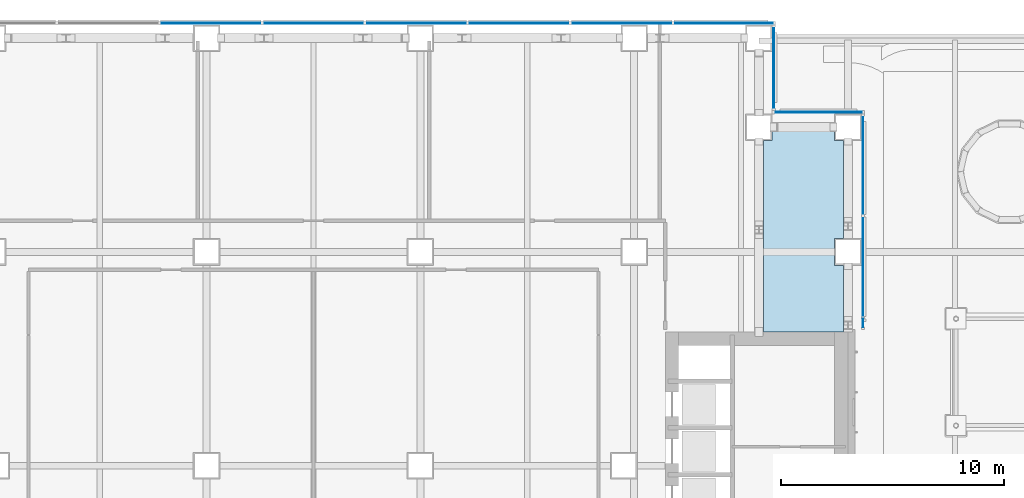
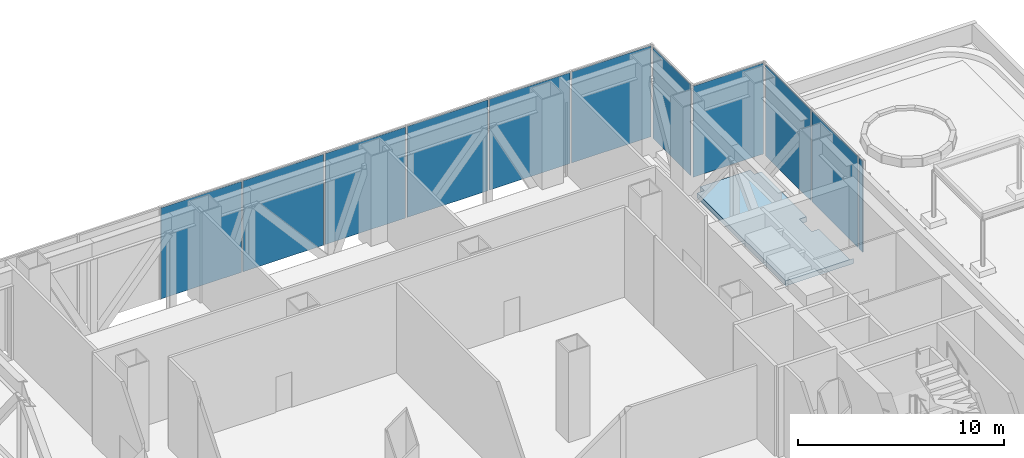
# One storey, part 22 of 39: 11 plates, 1 slab, 4 elements without a shape of their own.
"""IFC4 building model written with IfcOpenShell, lengths in metres."""

from ifc_helpers import new_model, si_unit, direction, frame, origin, origin_2d, place, context, subcontext, project, spatial, polyline, rectangle, outline, extrude, material, layer, layer_set, type_object, element, aggregate, save


model = new_model("IFC4")

# Units and contexts
model_context = context("Model", 3, precision=1e-05, world=origin(), true_north=direction((0.0, 1.0)))
body_context = subcontext(model_context, "Body", "Model", "MODEL_VIEW")
ifc_project = project(units=[si_unit("LENGTHUNIT", "METRE"), si_unit("AREAUNIT", "SQUARE_METRE"), si_unit("VOLUMEUNIT", "CUBIC_METRE"), si_unit("PLANEANGLEUNIT", "RADIAN"), si_unit("MASSUNIT", "GRAM", prefix="KILO")], contexts=[model_context])

# Site, building, storey
site_placement = place(None, origin())
site = spatial("IfcSite", under=ifc_project, at=site_placement, CompositionType="ELEMENT")
building_placement = place(site_placement, origin())
building = spatial("IfcBuilding", under=site, at=building_placement, Name="Cobrizo Arcos Hotel Tower", CompositionType="ELEMENT")
storey_placement = place(building_placement, frame((0.0, 0.0, 33.5)))
storey = spatial("IfcBuildingStorey", under=building, at=storey_placement, Name="L06", CompositionType="ELEMENT", Elevation=33.5)

# Curtain wall, plates
ifc_material_1 = material(Name="Aluminium 6063-T6 anodised bronze", Category="aluminium")
curtain_wall_type = type_object("IfcCurtainWallType", Name="CW-D plant louvre wall", PredefinedType="NOTDEFINED", material=ifc_material_1)
curtain_wall_1_placement = place(storey_placement, origin())
curtain_wall_1 = element("IfcCurtainWall", 1, at=curtain_wall_1_placement, inside=storey, type_object=curtain_wall_type, Name="CW-D L06 E face", PredefinedType="NOTDEFINED")
ifc_material_2 = material(Name="Aluminium composite panel pale metal", Category="aluminium")
ifc_layer_1 = layer(ifc_material_2, 0.06005859375)
ifc_layer_set_1 = layer_set([ifc_layer_1], Name="CW-D spandrel panel")
plate_type = type_object("IfcPlateType", Name="CW-D spandrel panel", PredefinedType="CURTAIN_PANEL", material=ifc_layer_set_1)
plate_1_placement = place(storey_placement, frame((24.675048828125, 11.20947265625, 0.0), z_axis=(0.0, 0.0, 1.0), x_axis=(0.0, 1.0, 0.0)))
plate_1 = element("IfcPlate", 2, at=plate_1_placement, type_object=plate_type, Name="CW-D insulated panel 337", PredefinedType="CURTAIN_PANEL", context=body_context, shape_type="SweptSolid", body=[
    extrude(rectangle(XDim=0.3701171875, YDim=0.0400390625, at=origin_2d()), origin(), (0.0, 0.0, 1.0), 5.39990234375),
])
plate_2_placement = place(storey_placement, frame((24.675048828125, 13.7333984375, 0.0), z_axis=(0.0, 0.0, 1.0), x_axis=(0.0, 1.0, 0.0)))
plate_2 = element("IfcPlate", 3, at=plate_2_placement, type_object=plate_type, Name="CW-D insulated panel 338", PredefinedType="CURTAIN_PANEL", context=body_context, shape_type="SweptSolid", body=[
    extrude(rectangle(XDim=4.477783203125, YDim=0.0400390625, at=origin_2d()), origin(), (0.0, 0.0, 1.0), 5.39990234375),
])
plate_3_placement = place(storey_placement, frame((24.675048828125, 18.2861328125, 0.0), z_axis=(0.0, 0.0, 1.0), x_axis=(0.0, 1.0, 0.0)))
plate_3 = element("IfcPlate", 4, at=plate_3_placement, type_object=plate_type, Name="CW-D insulated panel 339", PredefinedType="CURTAIN_PANEL", context=body_context, shape_type="SweptSolid", body=[
    extrude(rectangle(XDim=4.427734375, YDim=0.0400390625, at=origin_2d()), origin(), (0.0, 0.0, 1.0), 5.39990234375),
])
aggregate(curtain_wall_1, [plate_1, plate_2, plate_3])

# Curtain wall, plate
curtain_wall_2_placement = place(storey_placement, origin())
curtain_wall_2 = element("IfcCurtainWall", 5, at=curtain_wall_2_placement, inside=storey, type_object=curtain_wall_type, Name="CW-D L06 N face", PredefinedType="NOTDEFINED")
plate_4_placement = place(storey_placement, frame((22.675048828125, 20.675048828125, 0.0), z_axis=(0.0, 0.0, 1.0), x_axis=(-1.0, 0.0, 0.0)))
plate_4 = element("IfcPlate", 6, at=plate_4_placement, type_object=plate_type, Name="CW-D insulated panel 340", PredefinedType="CURTAIN_PANEL", context=body_context, shape_type="SweptSolid", body=[
    extrude(rectangle(XDim=3.949951171875, YDim=0.0400390625, at=origin_2d()), origin(), (0.0, 0.0, 1.0), 5.39990234375),
])
aggregate(curtain_wall_2, [plate_4])

curtain_wall_3_placement = place(storey_placement, origin())
curtain_wall_3 = element("IfcCurtainWall", 7, at=curtain_wall_3_placement, inside=storey, type_object=curtain_wall_type, Name="CW-D L06 E face", PredefinedType="NOTDEFINED")
plate_5_placement = place(storey_placement, frame((20.675048828125, 22.675048828125, 0.0), z_axis=(0.0, 0.0, 1.0), x_axis=(0.0, 1.0, 0.0)))
plate_5 = element("IfcPlate", 8, at=plate_5_placement, type_object=plate_type, Name="CW-D insulated panel 341", PredefinedType="CURTAIN_PANEL", context=body_context, shape_type="SweptSolid", body=[
    extrude(rectangle(XDim=3.64990234375, YDim=0.0400390625, at=origin_2d()), origin(), (0.0, 0.0, 1.0), 5.39990234375),
])
aggregate(curtain_wall_3, [plate_5])

# Curtain wall, plates
curtain_wall_4_placement = place(storey_placement, origin())
curtain_wall_4 = element("IfcCurtainWall", 9, at=curtain_wall_4_placement, inside=storey, type_object=curtain_wall_type, Name="CW-D L06 N face", PredefinedType="NOTDEFINED")
plate_6_placement = place(storey_placement, frame((18.41943359375, 24.675048828125, 0.0), z_axis=(0.0, 0.0, 1.0), x_axis=(-1.0, 0.0, 0.0)))
plate_6 = element("IfcPlate", 10, at=plate_6_placement, type_object=plate_type, Name="CW-D insulated panel 342", PredefinedType="CURTAIN_PANEL", context=body_context, shape_type="SweptSolid", body=[
    extrude(rectangle(XDim=4.461181640625, YDim=0.0400390625, at=origin_2d()), origin(), (0.0, 0.0, 1.0), 5.39990234375),
])
plate_7_placement = place(storey_placement, frame((13.833251953125, 24.675048828125, 0.0), z_axis=(0.0, 0.0, 1.0), x_axis=(-1.0, 0.0, 0.0)))
plate_7 = element("IfcPlate", 11, at=plate_7_placement, type_object=plate_type, Name="CW-D insulated panel 343", PredefinedType="CURTAIN_PANEL", context=body_context, shape_type="SweptSolid", body=[
    extrude(rectangle(XDim=4.51123046875, YDim=0.0400390625, at=origin_2d()), origin(), (0.0, 0.0, 1.0), 5.39990234375),
])
plate_8_placement = place(storey_placement, frame((9.22216796875, 24.675048828125, 0.0), z_axis=(0.0, 0.0, 1.0), x_axis=(-1.0, 0.0, 0.0)))
plate_8 = element("IfcPlate", 12, at=plate_8_placement, type_object=plate_type, Name="CW-D insulated panel 344", PredefinedType="CURTAIN_PANEL", context=body_context, shape_type="SweptSolid", body=[
    extrude(rectangle(XDim=4.51123046875, YDim=0.0400390625, at=origin_2d()), origin(), (0.0, 0.0, 1.0), 5.39990234375),
])
plate_9_placement = place(storey_placement, frame((4.611083984375, 24.675048828125, 0.0), z_axis=(0.0, 0.0, 1.0), x_axis=(-1.0, 0.0, 0.0)))
plate_9 = element("IfcPlate", 13, at=plate_9_placement, type_object=plate_type, Name="CW-D insulated panel 345", PredefinedType="CURTAIN_PANEL", context=body_context, shape_type="SweptSolid", body=[
    extrude(rectangle(XDim=4.51123046875, YDim=0.0400390625, at=origin_2d()), origin(), (0.0, 0.0, 1.0), 5.39990234375),
])
plate_10_placement = place(storey_placement, frame((0.0, 24.675048828125, 0.0), z_axis=(0.0, 0.0, 1.0), x_axis=(-1.0, 0.0, 0.0)))
plate_10 = element("IfcPlate", 14, at=plate_10_placement, type_object=plate_type, Name="CW-D insulated panel 346", PredefinedType="CURTAIN_PANEL", context=body_context, shape_type="SweptSolid", body=[
    extrude(rectangle(XDim=4.51123046875, YDim=0.0400390625, at=origin_2d()), origin(), (0.0, 0.0, 1.0), 5.39990234375),
])
plate_11_placement = place(storey_placement, frame((-4.611083984375, 24.675048828125, 0.0), z_axis=(0.0, 0.0, 1.0), x_axis=(-1.0, 0.0, 0.0)))
plate_11 = element("IfcPlate", 15, at=plate_11_placement, type_object=plate_type, Name="CW-D insulated panel 347", PredefinedType="CURTAIN_PANEL", context=body_context, shape_type="SweptSolid", body=[
    extrude(rectangle(XDim=4.51123046875, YDim=0.0400390625, at=origin_2d()), origin(), (0.0, 0.0, 1.0), 5.39990234375),
])
aggregate(curtain_wall_4, [plate_6, plate_7, plate_8, plate_9, plate_10, plate_11])

# Slab
ifc_material_3 = material(Name="Concrete f'c 35 MPa", Category="concrete")
ifc_layer_2 = layer(ifc_material_3, 0.300048828125)
ifc_layer_set_2 = layer_set([ifc_layer_2], Name="Composite floor slab 300 f'c 35")
slab_type = type_object("IfcSlabType", Name="Composite floor slab 300 f'c 35", PredefinedType="FLOOR", material=ifc_layer_set_2)
slab_placement = place(storey_placement, frame((0.0, 0.0, -0.300048828125)))
element("IfcSlab", 16, at=slab_placement, inside=storey, type_object=slab_type, Name="Floor slab S2, L06, no. 02", PredefinedType="FLOOR", context=body_context, shape_type="SweptSolid", body=[
    extrude(outline(polyline([(24.0, 10.800048828125), (20.200439453125, 10.800048828125), (20.200439453125, 19.39990234375), (20.60009765625, 19.39990234375), (20.60009765625, 19.799560546875), (23.39990234375, 19.799560546875), (23.39990234375, 19.39990234375), (23.799560546875, 19.39990234375), (23.799560546875, 15.0), (23.39990234375, 15.0), (23.39990234375, 13.800048828125), (23.799560546875, 13.800048828125), (23.799560546875, 10.801025390625), (24.0, 10.801025390625), (24.0, 10.800048828125)])), origin(), (0.0, 0.0, 1.0), 0.300048828125),
])

save(model, "model.ifc")
